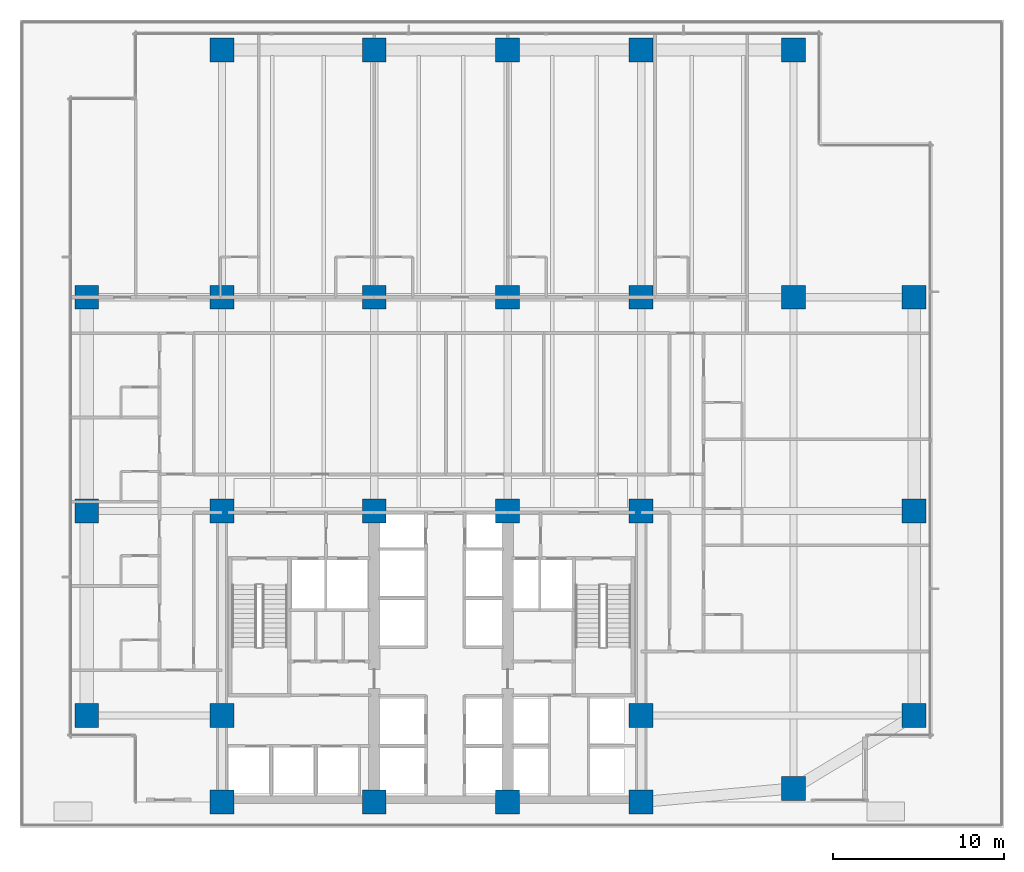
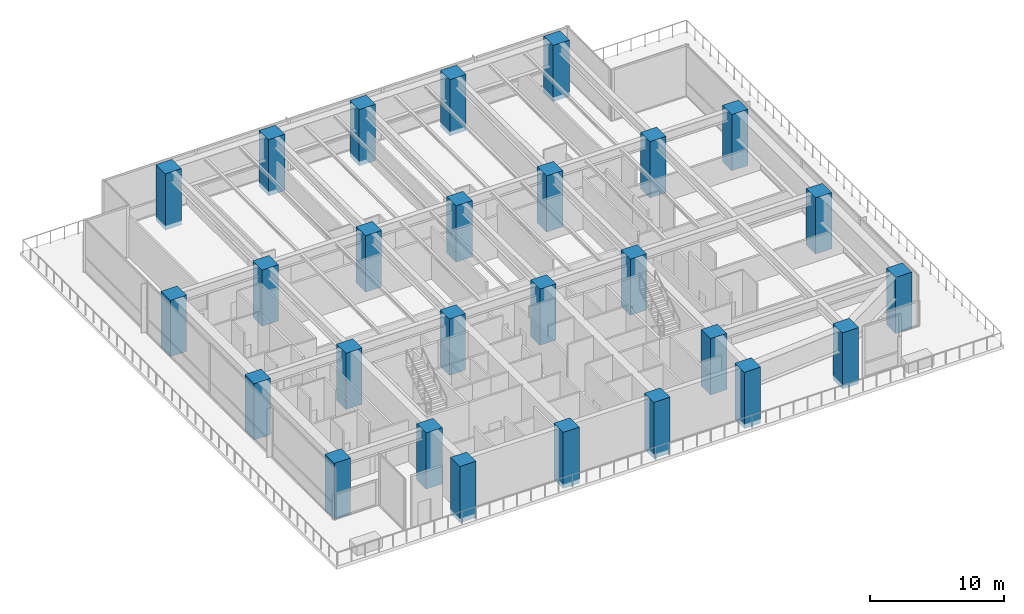
# One storey, part 1 of 19: 27 columns.
"""IFC4 building model written with IfcOpenShell, lengths in metres."""

import ifcopenshell
import ifcopenshell.guid

model = None  # the IFC model being written
_history = None  # IfcOwnerHistory: only IFC2X3 demands one
_inside = {}  # id of a spatial element -> (the spatial element, [elements in it])
_under = {}  # id of a project, library or spatial element -> (it, [spatial elements below it])
_declared = {}  # id of a project -> (the project, [libraries it declares])
_typed = {}  # id of a type object -> (the type object, [elements of that type])
_made_of = {}  # id of a material, layer set ... -> (it, [elements and type objects made of it])


def new_model(schema):
    """Start an empty IFC model of exactly this schema.

    Asked for "IFC4X3", IfcOpenShell would pick the latest addendum, in which some entities
    have other attributes; the version numbers below select the first issue.
    IFC2X3 requires an IfcOwnerHistory on every rooted entity: one is made here for all.
    """
    global model, _history
    if schema == "IFC4X3":
        model = ifcopenshell.file(schema_version=(4, 3, 0, 0))
    else:
        model = ifcopenshell.file(schema=schema)
    _inside.clear()
    _under.clear()
    _declared.clear()
    _typed.clear()
    _made_of.clear()
    _history = None
    if model.schema == "IFC2X3":
        org = make("IfcOrganization", Name="unknown")
        user = make(
            "IfcPersonAndOrganization",
            ThePerson=make("IfcPerson", FamilyName="unknown"),
            TheOrganization=org,
        )
        app = make(
            "IfcApplication",
            ApplicationDeveloper=org,
            Version="unknown",
            ApplicationFullName="unknown",
            ApplicationIdentifier="unknown",
        )
        _history = make(
            "IfcOwnerHistory",
            OwningUser=user,
            OwningApplication=app,
            ChangeAction="ADDED",
            CreationDate=0,
        )
    return model


def make(cls, **values):
    """One entity of the class cls with the attributes given. An attribute that is None is left unset."""
    return model.create_entity(
        cls, **{name: value for name, value in values.items() if value is not None}
    )


def rooted(cls, **values):
    """An entity with a GlobalId (a new one), such as an element, a storey or a relation."""
    return make(cls, GlobalId=ifcopenshell.guid.new(), OwnerHistory=_history, **values)


def si_unit(unit_type, name, prefix=None):
    """IfcSIUnit, for example si_unit("LENGTHUNIT", "METRE", prefix="MILLI")."""
    return make("IfcSIUnit", UnitType=unit_type, Prefix=prefix, Name=name)


def assignment(units):
    """IfcUnitAssignment: the units of a project."""
    return None if units is None else make("IfcUnitAssignment", Units=units)


def point(xyz):
    """IfcCartesianPoint."""
    return None if xyz is None else make("IfcCartesianPoint", Coordinates=xyz)


def direction(xyz):
    """IfcDirection."""
    return None if xyz is None else make("IfcDirection", DirectionRatios=xyz)


def frame(location, z_axis=None, x_axis=None):
    """IfcAxis2Placement3D, a coordinate frame: its origin and axes. An axis left out is left unset."""
    return make(
        "IfcAxis2Placement3D",
        Location=point(location),
        Axis=direction(z_axis),
        RefDirection=direction(x_axis),
    )


def frame_2d(location, x_axis=None):
    """IfcAxis2Placement2D, a coordinate frame in the plane: its origin and x axis."""
    return make(
        "IfcAxis2Placement2D", Location=point(location), RefDirection=direction(x_axis)
    )


def origin():
    """The frame at (0, 0, 0) with its axes left unset."""
    return frame((0.0, 0.0, 0.0))


def origin_2d():
    """The frame at (0, 0) in the plane with its x axis left unset."""
    return frame_2d((0.0, 0.0))


def place(relative_to, where):
    """IfcLocalPlacement: puts the frame where relative to a parent placement (None: the world)."""
    return make(
        "IfcLocalPlacement", PlacementRelTo=relative_to, RelativePlacement=where
    )


def context(
    kind, dimensions, precision=None, world=None, true_north=None, identifier=None
):
    """IfcGeometricRepresentationContext, for example the 3D "Model" context."""
    return make(
        "IfcGeometricRepresentationContext",
        ContextIdentifier=identifier,
        ContextType=kind,
        CoordinateSpaceDimension=dimensions,
        Precision=precision,
        WorldCoordinateSystem=world,
        TrueNorth=true_north,
    )


def subcontext(parent, identifier, kind, view, scale=None):
    """IfcGeometricRepresentationSubContext, for example "Body" below "Model"."""
    return make(
        "IfcGeometricRepresentationSubContext",
        ContextIdentifier=identifier,
        ContextType=kind,
        ParentContext=parent,
        TargetScale=scale,
        TargetView=view,
    )


def project(units=None, contexts=None):
    """IfcProject with its units and contexts."""
    return rooted(
        "IfcProject",
        Name="project",
        RepresentationContexts=contexts,
        UnitsInContext=assignment(units),
    )


def spatial(cls, under=None, at=None, **own):
    """A site, building, storey or space (cls), placed at a placement, below another one or the project."""
    s = rooted(cls, ObjectPlacement=at, **own)
    if under is not None:
        _under.setdefault(under.id(), (under, []))[1].append(s)
    return s


def profile(cls, at=None, kind="AREA", **sizes):
    """A parametric profile (cls). Its sizes go by their IFC names, for example OverallWidth=200.0."""
    return make(cls, ProfileType=kind, Position=at, **sizes)


def rectangle(**sizes):
    """IfcRectangleProfileDef."""
    return profile("IfcRectangleProfileDef", **sizes)


def extrude(swept, where, along, depth):
    """IfcExtrudedAreaSolid: the profile swept, set in the frame where, extruded along a direction by depth."""
    return make(
        "IfcExtrudedAreaSolid",
        SweptArea=swept,
        Position=where,
        ExtrudedDirection=direction(along),
        Depth=depth,
    )


def shape(context_of_items, identifier, shape_type, items):
    """IfcShapeRepresentation: the items that make up one representation, for example the "Body"."""
    return make(
        "IfcShapeRepresentation",
        ContextOfItems=context_of_items,
        RepresentationIdentifier=identifier,
        RepresentationType=shape_type,
        Items=items,
    )


def material(Name=None, Category=None):
    """IfcMaterial."""
    return make("IfcMaterial", Name=Name, Category=Category)


def material_profile(
    of_material, cross_section, Name=None, Category=None, Priority=None
):
    """IfcMaterialProfile: a cross section and its material."""
    return make(
        "IfcMaterialProfile",
        Name=Name,
        Material=of_material,
        Profile=cross_section,
        Priority=Priority,
        Category=Category,
    )


def profile_set(profiles, Name=None, composite=None):
    """IfcMaterialProfileSet."""
    return make(
        "IfcMaterialProfileSet",
        Name=Name,
        MaterialProfiles=profiles,
        CompositeProfile=composite,
    )


def made_of(thing, what):
    """Note that an element or type object is made of a material, layer set ...; save() writes the relation."""
    if what is not None:
        _made_of.setdefault(what.id(), (what, []))[1].append(thing)
    return thing


def type_object(cls, material=None, **own):
    """A type object (cls), such as IfcWallType, which elements share."""
    return made_of(rooted(cls, **own), material)


def element(
    cls,
    number,
    at=None,
    inside=None,
    cuts=None,
    type_object=None,
    material=None,
    context=None,
    identifier="Body",
    shape_type=None,
    held_by="IfcProductDefinitionShape",
    body=None,
    shapes=None,
    **own,
):
    """One element of the class cls, such as IfcWall. Its Tag is "e" and its number.

    at: its placement. inside: the storey or other place that contains it. cuts: it is an
    opening in that element (IfcRelVoidsElement). A single representation is given by context,
    identifier, shape_type and body (its items); several are given by shapes. held_by: the class
    of the entity that holds the representations. save() writes the other relations.
    """
    e = rooted(cls, Tag="e%d" % number, ObjectPlacement=at, **own)
    if body is not None:
        shapes = [shape(context, identifier, shape_type, body)]
    if shapes is not None:
        e.Representation = make(held_by, Representations=shapes)
    if inside is not None:
        _inside.setdefault(inside.id(), (inside, []))[1].append(e)
    if cuts is not None:
        rooted(
            "IfcRelVoidsElement", RelatingBuildingElement=cuts, RelatedOpeningElement=e
        )
    if type_object is not None:
        _typed.setdefault(type_object.id(), (type_object, []))[1].append(e)
    return made_of(e, material)


def aggregate(whole, parts):
    """IfcRelAggregates: a whole, such as a stair, and the parts it consists of."""
    return rooted("IfcRelAggregates", RelatingObject=whole, RelatedObjects=parts)


def save(model, path):
    """Write the relations noted so far, then the file.

    IfcRelAggregates (storeys below a building ...), IfcRelContainedInSpatialStructure (elements
    in a storey), IfcRelDefinesByType, IfcRelAssociatesMaterial and IfcRelDeclares: one each for
    every whole, place, type object, material and project.
    """
    for whole, parts in _under.values():
        aggregate(whole, parts)
    for where, things in _inside.values():
        rooted(
            "IfcRelContainedInSpatialStructure",
            RelatedElements=things,
            RelatingStructure=where,
        )
    for kind, things in _typed.values():
        rooted("IfcRelDefinesByType", RelatedObjects=things, RelatingType=kind)
    for what, things in _made_of.values():
        rooted("IfcRelAssociatesMaterial", RelatedObjects=things, RelatingMaterial=what)
    for by, libraries in _declared.values():
        rooted("IfcRelDeclares", RelatingContext=by, RelatedDefinitions=libraries)
    model.write(path)


model = new_model("IFC4")

# Units and contexts
model_context = context("Model", 3, precision=1e-05, world=origin(), true_north=direction((0.0, 1.0)))
body_context = subcontext(model_context, "Body", "Model", "MODEL_VIEW")
ifc_project = project(units=[si_unit("LENGTHUNIT", "METRE"), si_unit("AREAUNIT", "SQUARE_METRE"), si_unit("VOLUMEUNIT", "CUBIC_METRE"), si_unit("PLANEANGLEUNIT", "RADIAN"), si_unit("MASSUNIT", "GRAM", prefix="KILO")], contexts=[model_context])

# Site, building, storey
site_placement = place(None, origin())
site = spatial("IfcSite", under=ifc_project, at=site_placement, CompositionType="ELEMENT")
building_placement = place(site_placement, origin())
building = spatial("IfcBuilding", under=site, at=building_placement, Name="Qalmaran Belvedere Hotel", CompositionType="ELEMENT")
storey_placement = place(building_placement, frame((0.0, 0.0, 28.39990234375)))
storey = spatial("IfcBuildingStorey", under=building, at=storey_placement, Name="L06", CompositionType="ELEMENT", Elevation=28.39990234375)

# Columns
ifc_material = material(Name="Concrete C60/75", Category="concrete")
ifc_material_profile = material_profile(ifc_material, rectangle(XDim=1.39990234375, YDim=1.39990234375, at=origin_2d()), Name="CC1400X1400")
ifc_profile_set = profile_set([ifc_material_profile], Name="Concrete C60/75")
column_type = type_object("IfcColumnType", Name="COL-Z1-CC1400", PredefinedType="COLUMN", material=ifc_profile_set)
for number, where, z_axis, x_axis, name in (
    (1, (20.300048828125, 3.5, -0.39990234375), (0.0, 0.0, 1.0), (1.0, 0.0, 0.0), "L06 Column C4B"),
    (2, (29.199951171875, 3.5, -0.39990234375), (0.0, 0.0, 1.0), (1.0, 0.0, 0.0), "L06 Column C5B"),
    (3, (37.0, 3.5, -0.39990234375), (0.0, 0.0, 1.0), (1.0, 0.0, 0.0), "L06 Column C6B"),
    (4, (44.800048828125, 3.5, -0.39990234375), (0.0, 0.0, 1.0), (1.0, 0.0, 0.0), "L06 Column C7B"),
    (5, (20.300048828125, 8.550048828125, -0.39990234375), (0.0, 0.0, 1.0), (1.0, 0.0, 0.0), "L06 Column C4C"),
    (6, (44.800048828125, 8.550048828125, -0.39990234375), (0.0, 0.0, 1.0), (1.0, 0.0, 0.0), "L06 Column C7C"),
    (7, (20.300048828125, 20.5, -0.39990234375), (0.0, 0.0, 1.0), (1.0, 0.0, 0.0), "L06 Column C4D"),
    (8, (29.199951171875, 20.5, -0.39990234375), (0.0, 0.0, 1.0), (1.0, 0.0, 0.0), "L06 Column C5D"),
    (9, (37.0, 20.5, -0.39990234375), (0.0, 0.0, 1.0), (1.0, 0.0, 0.0), "L06 Column C6D"),
    (10, (44.800048828125, 20.5, -0.39990234375), (0.0, 0.0, 1.0), (1.0, 0.0, 0.0), "L06 Column C7D"),
    (11, (20.300048828125, 33.0, -0.39990234375), (0.0, 0.0, 1.0), (1.0, 0.0, 0.0), "L06 Column C4F"),
    (12, (29.199951171875, 33.0, -0.39990234375), (0.0, 0.0, 1.0), (1.0, 0.0, 0.0), "L06 Column C5F"),
    (13, (37.0, 33.0, -0.39990234375), (0.0, 0.0, 1.0), (1.0, 0.0, 0.0), "L06 Column C6F"),
    (14, (44.800048828125, 33.0, -0.39990234375), (0.0, 0.0, 1.0), (1.0, 0.0, 0.0), "L06 Column C7F"),
    (15, (12.39990234375, 8.550048828125, -0.39990234375), (0.0, 0.0, 1.0), (1.0, 0.0, 0.0), "L06 Column CW1"),
    (16, (12.39990234375, 20.5, -0.39990234375), (0.0, 0.0, 1.0), (1.0, 0.0, 0.0), "L06 Column CW3"),
    (17, (12.39990234375, 33.0, -0.39990234375), (0.0, 0.0, 1.0), (1.0, 0.0, 0.0), "L06 Column CW4"),
    (18, (20.300048828125, 47.449951171875, -0.39990234375), (0.0, 0.0, 1.0), (1.0, 0.0, 0.0), "L06 Column CN1"),
    (19, (29.199951171875, 47.449951171875, -0.39990234375), (0.0, 0.0, 1.0), (1.0, 0.0, 0.0), "L06 Column CN2"),
    (20, (37.0, 47.449951171875, -0.39990234375), (0.0, 0.0, 1.0), (1.0, 0.0, 0.0), "L06 Column CN3"),
    (21, (44.800048828125, 47.449951171875, -0.39990234375), (0.0, 0.0, 1.0), (1.0, 0.0, 0.0), "L06 Column CN4"),
    (22, (53.699951171875, 47.449951171875, -0.39990234375), (0.0, 0.0, 1.0), (1.0, 0.0, 0.0), "L06 Column CN5"),
    (23, (60.75, 8.550048828125, -0.39990234375), (0.0, 0.0, 1.0), (1.0, 0.0, 0.0), "L06 Column CE1"),
    (24, (60.75, 20.5, -0.39990234375), (0.0, 0.0, 1.0), (1.0, 0.0, 0.0), "L06 Column CE3"),
    (25, (60.75, 33.0, -0.39990234375), (0.0, 0.0, 1.0), (1.0, 0.0, 0.0), "L06 Column CE4"),
    (26, (53.699951171875, 4.300048828125, -0.39990234375), (0.0, 0.0, 1.0), (1.0, 0.0, 0.0), "L06 Column CSE1"),
    (27, (53.699951171875, 33.0, -0.39990234375), (0.0, 0.0, 1.0), (1.0, 0.0, 0.0), "L06 Column CSN5"),
):
    element("IfcColumn", number, at=place(storey_placement, frame(where, z_axis=z_axis, x_axis=x_axis)), inside=storey, type_object=column_type, Name=name, PredefinedType="COLUMN", context=body_context, shape_type="SweptSolid", body=[
        extrude(rectangle(XDim=1.39990234375, YDim=1.39990234375, at=origin_2d()), origin(), (0.0, 0.0, 1.0), 5.1201171875),
    ])

save(model, "model.ifc")
